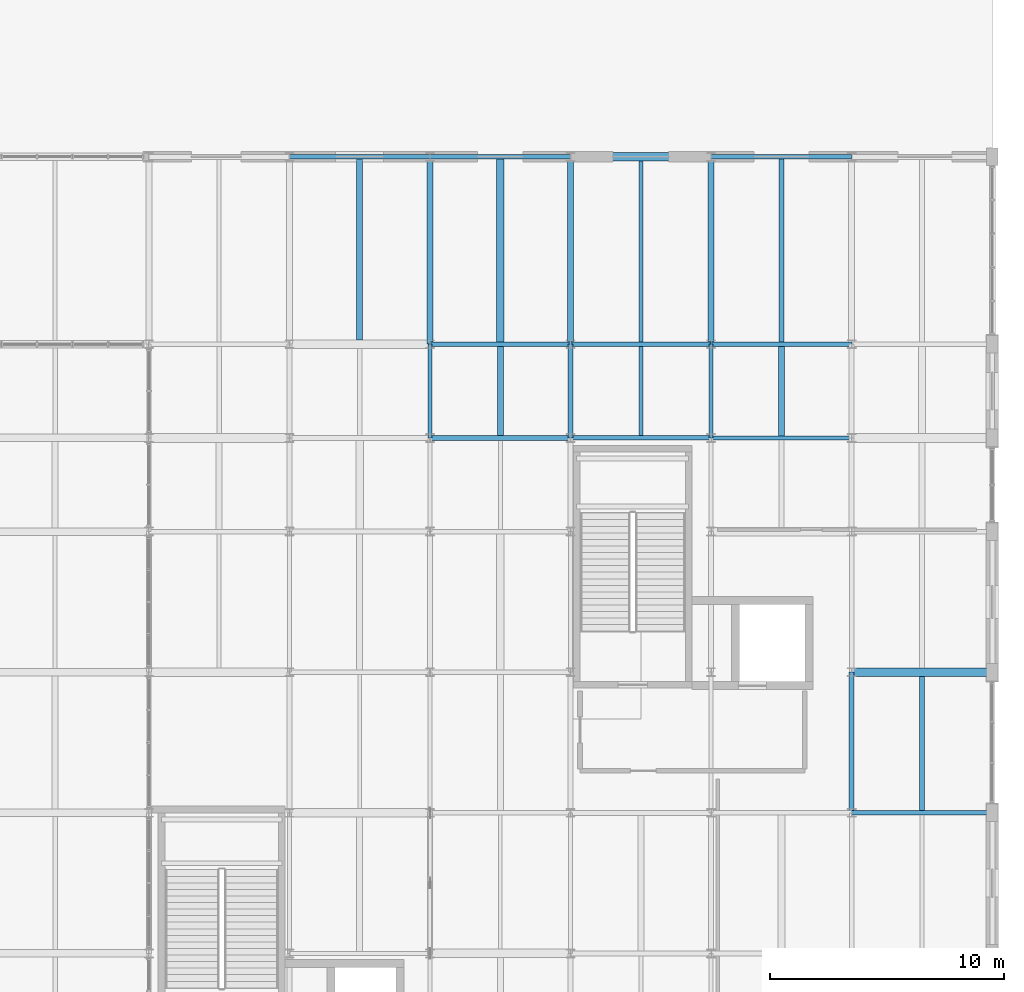
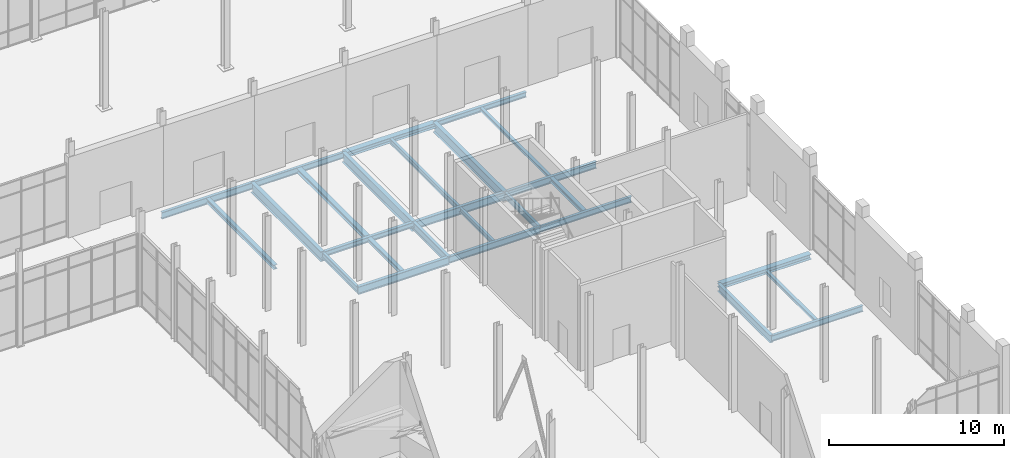
# One storey, part 90 of 140: 27 beams.
"""IFC4 building model written with IfcOpenShell, lengths in metres."""

from ifc_helpers import new_model, si_unit, direction, frame, origin, origin_2d, place, context, subcontext, project, spatial, i_section, extrude, material, material_profile, profile_set, type_object, element, save


model = new_model("IFC4")

# Units and contexts
model_context = context("Model", 3, precision=1e-05, world=origin(), true_north=direction((0.0, 1.0)))
body_context = subcontext(model_context, "Body", "Model", "MODEL_VIEW")
ifc_project = project(units=[si_unit("LENGTHUNIT", "METRE"), si_unit("AREAUNIT", "SQUARE_METRE"), si_unit("VOLUMEUNIT", "CUBIC_METRE"), si_unit("PLANEANGLEUNIT", "RADIAN"), si_unit("MASSUNIT", "GRAM", prefix="KILO")], contexts=[model_context])

# Site, building, storey
site_placement = place(None, origin())
site = spatial("IfcSite", under=ifc_project, at=site_placement, CompositionType="ELEMENT")
building_placement = place(site_placement, origin())
building = spatial("IfcBuilding", under=site, at=building_placement, Name="Verrall Gate Interchange", CompositionType="ELEMENT")
storey_placement = place(building_placement, origin())
storey = spatial("IfcBuildingStorey", under=building, at=storey_placement, Name="L01", CompositionType="ELEMENT", Elevation=0.0)

# Beams
ifc_material_1 = material(Name="Structural Steel CSA G40.21 350WT Cat 4", Category="steel")
ifc_material_profile_1 = material_profile(ifc_material_1, i_section(OverallWidth=0.256103515625, OverallDepth=0.693115234375, WebThickness=0.01318359375, FlangeThickness=0.02001953125, FilletRadius=0.01611328125, at=origin_2d()), Name="W690x170")
ifc_profile_set_1 = profile_set([ifc_material_profile_1], Name="Structural Steel CSA G40.21 350WT Cat 4")
beam_type_1 = type_object("IfcBeamType", Name="B-07 Structural Beam W690x170", PredefinedType="BEAM", material=ifc_profile_set_1)
for number, where, z_axis, x_axis, name in (
    (1, (144.0, 48.0, -0.846435546875), (0.0, 1.0, 0.0), (-1.0, 0.0, 0.0), "L01 Girder BM-L01-1218 (B-07)"),
    (2, (150.0, 48.0, -0.846435546875), (0.0, 1.0, 0.0), (-1.0, 0.0, 0.0), "L01 Girder BM-L01-1226 (B-07)"),
    (3, (156.0, 48.0, -0.846435546875), (0.0, 1.0, 0.0), (-1.0, 0.0, 0.0), "L01 Girder BM-L01-1234 (B-07)"),
):
    element("IfcBeam", number, at=place(storey_placement, frame(where, z_axis=z_axis, x_axis=x_axis)), inside=storey, type_object=beam_type_1, Name=name, PredefinedType="BEAM", context=body_context, shape_type="SweptSolid", body=[
        extrude(i_section(OverallWidth=0.256103515625, OverallDepth=0.693115234375, WebThickness=0.01318359375, FlangeThickness=0.02001953125, FilletRadius=0.01611328125, at=origin_2d()), origin(), (0.0, 0.0, 1.0), 8.0),
    ])
ifc_material_2 = material(Name="Structural Steel CSA G40.21 350W", Category="steel")
ifc_material_profile_2 = material_profile(ifc_material_2, i_section(OverallWidth=0.2109375, OverallDepth=0.5390625, WebThickness=0.01171875, FlangeThickness=0.018798828125, FilletRadius=0.013916015625, at=origin_2d()), Name="W530x109")
ifc_profile_set_2 = profile_set([ifc_material_profile_2], Name="Structural Steel CSA G40.21 350W")
beam_type_2 = type_object("IfcBeamType", Name="B-10 Structural Beam W530x109", PredefinedType="BEAM", material=ifc_profile_set_2)
for number, where, z_axis, x_axis, name in (
    (4, (144.0, 44.0, -0.76953125), (1.0, 0.0, 0.0), (0.0, 1.0, 0.0), "L01 Girder BM-L01-0906 (B-10)"),
    (5, (150.0, 48.0, -0.76953125), (1.0, 0.0, 0.0), (0.0, 1.0, 0.0), "L01 Girder BM-L01-0932 (B-10)"),
):
    element("IfcBeam", number, at=place(storey_placement, frame(where, z_axis=z_axis, x_axis=x_axis)), inside=storey, type_object=beam_type_2, Name=name, PredefinedType="BEAM", context=body_context, shape_type="SweptSolid", body=[
        extrude(i_section(OverallWidth=0.2109375, OverallDepth=0.5390625, WebThickness=0.01171875, FlangeThickness=0.018798828125, FilletRadius=0.013916015625, at=origin_2d()), origin(), (0.0, 0.0, 1.0), 6.0),
    ])
beam_1_placement = place(storey_placement, frame((150.0, 44.0, -0.76953125), z_axis=(0.0, 1.0, 0.0), x_axis=(-1.0, 0.0, 0.0)))
element("IfcBeam", 6, at=beam_1_placement, inside=storey, type_object=beam_type_2, Name="L01 Girder BM-L01-1225 (B-10)", PredefinedType="BEAM", context=body_context, shape_type="SweptSolid", body=[
    extrude(i_section(OverallWidth=0.2109375, OverallDepth=0.5390625, WebThickness=0.01171875, FlangeThickness=0.018798828125, FilletRadius=0.013916015625, at=origin_2d()), origin(), (0.0, 0.0, 1.0), 4.0),
])
beam_2_placement = place(storey_placement, frame((162.0, 28.0, -0.76953125), z_axis=(0.0, 1.0, 0.0), x_axis=(-1.0, 0.0, 0.0)))
element("IfcBeam", 7, at=beam_2_placement, inside=storey, type_object=beam_type_2, Name="L01 Girder BM-L01-1238 (B-10)", PredefinedType="BEAM", context=body_context, shape_type="SweptSolid", body=[
    extrude(i_section(OverallWidth=0.2109375, OverallDepth=0.5390625, WebThickness=0.01171875, FlangeThickness=0.018798828125, FilletRadius=0.013916015625, at=origin_2d()), origin(), (0.0, 0.0, 1.0), 6.0),
])
ifc_material_3 = material(Name="Structural Steel CSA G40.21 350W", Category="steel")
ifc_material_profile_3 = material_profile(ifc_material_3, i_section(OverallWidth=0.19189453125, OverallDepth=0.462890625, WebThickness=0.010498046875, FlangeThickness=0.017578125, FilletRadius=0.012939453125, at=origin_2d()), Name="W460x89")
ifc_profile_set_3 = profile_set([ifc_material_profile_3], Name="Structural Steel CSA G40.21 350W")
beam_type_3 = type_object("IfcBeamType", Name="B-11 Structural Beam W460x89", PredefinedType="BEAM", material=ifc_profile_set_3)
for number, where, z_axis, x_axis, name in (
    (8, (150.0, 44.0, -0.7314453125), (1.0, 0.0, 0.0), (0.0, 1.0, 0.0), "L01 Girder BM-L01-0907 (B-11)"),
    (9, (156.0, 48.0, -0.7314453125), (1.0, 0.0, 0.0), (0.0, 1.0, 0.0), "L01 Girder BM-L01-0933 (B-11)"),
    (10, (138.0, 56.0, -0.7314453125), (1.0, 0.0, 0.0), (0.0, 1.0, 0.0), "L01 Girder BM-L01-0952 (B-11)"),
):
    element("IfcBeam", number, at=place(storey_placement, frame(where, z_axis=z_axis, x_axis=x_axis)), inside=storey, type_object=beam_type_3, Name=name, PredefinedType="BEAM", context=body_context, shape_type="SweptSolid", body=[
        extrude(i_section(OverallWidth=0.19189453125, OverallDepth=0.462890625, WebThickness=0.010498046875, FlangeThickness=0.017578125, FilletRadius=0.012939453125, at=origin_2d()), origin(), (0.0, 0.0, 1.0), 6.0),
    ])
ifc_material_4 = material(Name="Structural Steel CSA G40.21 350W", Category="steel")
ifc_material_profile_4 = material_profile(ifc_material_4, i_section(OverallWidth=0.178955078125, OverallDepth=0.409912109375, WebThickness=0.0087890625, FlangeThickness=0.014404296875, FilletRadius=0.011962890625, at=origin_2d()), Name="W410x67")
ifc_profile_set_4 = profile_set([ifc_material_profile_4], Name="Structural Steel CSA G40.21 350W")
beam_type_4 = type_object("IfcBeamType", Name="B-12 Structural Beam W410x67", PredefinedType="BEAM", material=ifc_profile_set_4)
for number, where, z_axis, x_axis, name in (
    (11, (162.0, 28.0, -0.705078125), (1.0, 0.0, 0.0), (0.0, 1.0, 0.0), "L01 Girder BM-L01-0846 (B-12)"),
    (12, (156.0, 44.0, -0.705078125), (1.0, 0.0, 0.0), (0.0, 1.0, 0.0), "L01 Girder BM-L01-0908 (B-12)"),
    (13, (144.0, 56.0, -0.705078125), (1.0, 0.0, 0.0), (0.0, 1.0, 0.0), "L01 Girder BM-L01-0953 (B-12)"),
):
    element("IfcBeam", number, at=place(storey_placement, frame(where, z_axis=z_axis, x_axis=x_axis)), inside=storey, type_object=beam_type_4, Name=name, PredefinedType="BEAM", context=body_context, shape_type="SweptSolid", body=[
        extrude(i_section(OverallWidth=0.178955078125, OverallDepth=0.409912109375, WebThickness=0.0087890625, FlangeThickness=0.014404296875, FilletRadius=0.011962890625, at=origin_2d()), origin(), (0.0, 0.0, 1.0), 6.0),
    ])
for number, where, z_axis, x_axis, name in (
    (14, (144.0, 44.0, -0.705078125), (0.0, 1.0, 0.0), (-1.0, 0.0, 0.0), "L01 Girder BM-L01-1217 (B-12)"),
    (15, (156.0, 44.0, -0.705078125), (0.0, 1.0, 0.0), (-1.0, 0.0, 0.0), "L01 Girder BM-L01-1233 (B-12)"),
):
    element("IfcBeam", number, at=place(storey_placement, frame(where, z_axis=z_axis, x_axis=x_axis)), inside=storey, type_object=beam_type_4, Name=name, PredefinedType="BEAM", context=body_context, shape_type="SweptSolid", body=[
        extrude(i_section(OverallWidth=0.178955078125, OverallDepth=0.409912109375, WebThickness=0.0087890625, FlangeThickness=0.014404296875, FilletRadius=0.011962890625, at=origin_2d()), origin(), (0.0, 0.0, 1.0), 4.0),
    ])
ifc_material_5 = material(Name="Structural Steel CSA G40.21 350W", Category="steel")
ifc_material_profile_5 = material_profile(ifc_material_5, i_section(OverallWidth=0.368896484375, OverallDepth=0.35595703125, WebThickness=0.01123046875, FlangeThickness=0.01806640625, FilletRadius=0.014892578125, at=origin_2d()), Name="W360x134")
ifc_profile_set_5 = profile_set([ifc_material_profile_5], Name="Structural Steel CSA G40.21 350W")
beam_type_5 = type_object("IfcBeamType", Name="B-13 Structural Beam W360x134", PredefinedType="BEAM", material=ifc_profile_set_5)
for number, where, z_axis, x_axis, name in (
    (16, (162.0, 34.0, -0.677978515625), (1.0, 0.0, 0.0), (0.0, 1.0, 0.0), "L01 Girder BM-L01-0866 (B-13)"),
    (17, (150.0, 56.0, -0.677978515625), (1.0, 0.0, 0.0), (0.0, 1.0, 0.0), "L01 Girder BM-L01-0954 (B-13)"),
):
    element("IfcBeam", number, at=place(storey_placement, frame(where, z_axis=z_axis, x_axis=x_axis)), inside=storey, type_object=beam_type_5, Name=name, PredefinedType="BEAM", context=body_context, shape_type="SweptSolid", body=[
        extrude(i_section(OverallWidth=0.368896484375, OverallDepth=0.35595703125, WebThickness=0.01123046875, FlangeThickness=0.01806640625, FilletRadius=0.014892578125, at=origin_2d()), origin(), (0.0, 0.0, 1.0), 6.0),
    ])
ifc_material_6 = material(Name="Structural Steel CSA G40.21 350W", Category="steel")
ifc_material_profile_6 = material_profile(ifc_material_6, i_section(OverallWidth=0.205078125, OverallDepth=0.35400390625, WebThickness=0.009521484375, FlangeThickness=0.016845703125, FilletRadius=0.012939453125, at=origin_2d()), Name="W360x79")
ifc_profile_set_6 = profile_set([ifc_material_profile_6], Name="Structural Steel CSA G40.21 350W")
beam_type_6 = type_object("IfcBeamType", Name="B-14 Structural Beam W360x79", PredefinedType="BEAM", material=ifc_profile_set_6)
for number, where, z_axis, x_axis, name in (
    (18, (144.0, 48.0, -0.677001953125), (1.0, 0.0, 0.0), (0.0, 1.0, 0.0), "L01 Girder BM-L01-0931 (B-14)"),
    (19, (156.0, 56.0, -0.677001953125), (1.0, 0.0, 0.0), (0.0, 1.0, 0.0), "L01 Girder BM-L01-0955 (B-14)"),
):
    element("IfcBeam", number, at=place(storey_placement, frame(where, z_axis=z_axis, x_axis=x_axis)), inside=storey, type_object=beam_type_6, Name=name, PredefinedType="BEAM", context=body_context, shape_type="SweptSolid", body=[
        extrude(i_section(OverallWidth=0.205078125, OverallDepth=0.35400390625, WebThickness=0.009521484375, FlangeThickness=0.016845703125, FilletRadius=0.012939453125, at=origin_2d()), origin(), (0.0, 0.0, 1.0), 6.0),
    ])
ifc_material_7 = material(Name="Structural Steel CSA G40.21 350W", Category="steel")
ifc_material_profile_7 = material_profile(ifc_material_7, i_section(OverallWidth=0.172119140625, OverallDepth=0.35791015625, WebThickness=0.0078125, FlangeThickness=0.01318359375, FilletRadius=0.010986328125, at=origin_2d()), Name="W360x57")
ifc_profile_set_7 = profile_set([ifc_material_profile_7], Name="Structural Steel CSA G40.21 350W")
beam_type_7 = type_object("IfcBeamType", Name="J-01 Floor Joist W360x57", PredefinedType="JOIST", material=ifc_profile_set_7)
beam_3_placement = place(storey_placement, frame((153.0, 48.10546875, -0.678955078125), z_axis=(0.0, 1.0, 0.0), x_axis=(-1.0, 0.0, 0.0)))
element("IfcBeam", 20, at=beam_3_placement, inside=storey, type_object=beam_type_7, Name="L01 Secondary Floor Joist JST-L01-1418", PredefinedType="JOIST", context=body_context, shape_type="SweptSolid", body=[
    extrude(i_section(OverallWidth=0.172119140625, OverallDepth=0.35791015625, WebThickness=0.0078125, FlangeThickness=0.01318359375, FilletRadius=0.010986328125, at=origin_2d()), origin(), (0.0, 0.0, 1.0), 7.7099609375),
])
ifc_material_8 = material(Name="Structural Steel CSA G40.21 350W", Category="steel")
ifc_material_profile_8 = material_profile(ifc_material_8, i_section(OverallWidth=0.306884765625, OverallDepth=0.31396484375, WebThickness=0.011962890625, FlangeThickness=0.018798828125, FilletRadius=0.013916015625, at=origin_2d()), Name="W310x118")
ifc_profile_set_8 = profile_set([ifc_material_profile_8], Name="Structural Steel CSA G40.21 350W")
beam_type_8 = type_object("IfcBeamType", Name="J-02 Floor Joist W310x118", PredefinedType="JOIST", material=ifc_profile_set_8)
beam_4_placement = place(storey_placement, frame((147.0, 48.1025390625, -0.656982421875), z_axis=(0.0, 1.0, 0.0), x_axis=(-1.0, 0.0, 0.0)))
element("IfcBeam", 21, at=beam_4_placement, inside=storey, type_object=beam_type_8, Name="L01 Secondary Floor Joist JST-L01-1417", PredefinedType="JOIST", context=body_context, shape_type="SweptSolid", body=[
    extrude(i_section(OverallWidth=0.306884765625, OverallDepth=0.31396484375, WebThickness=0.011962890625, FlangeThickness=0.018798828125, FilletRadius=0.013916015625, at=origin_2d()), origin(), (0.0, 0.0, 1.0), 7.807861328125),
])
ifc_material_9 = material(Name="Structural Steel CSA G40.21 350W", Category="steel")
ifc_material_profile_9 = material_profile(ifc_material_9, i_section(OverallWidth=0.25390625, OverallDepth=0.305908203125, WebThickness=0.0087890625, FlangeThickness=0.0146484375, FilletRadius=0.012939453125, at=origin_2d()), Name="W310x79")
ifc_profile_set_9 = profile_set([ifc_material_profile_9], Name="Structural Steel CSA G40.21 350W")
beam_type_9 = type_object("IfcBeamType", Name="J-03 Floor Joist W310x79", PredefinedType="JOIST", material=ifc_profile_set_9)
beam_5_placement = place(storey_placement, frame((159.0, 44.089599609375, -0.653076171875), z_axis=(0.0, 1.0, 0.0), x_axis=(-1.0, 0.0, 0.0)))
element("IfcBeam", 22, at=beam_5_placement, inside=storey, type_object=beam_type_9, Name="L01 Secondary Floor Joist JST-L01-1398", PredefinedType="JOIST", context=body_context, shape_type="SweptSolid", body=[
    extrude(i_section(OverallWidth=0.25390625, OverallDepth=0.305908203125, WebThickness=0.0087890625, FlangeThickness=0.0146484375, FilletRadius=0.012939453125, at=origin_2d()), origin(), (0.0, 0.0, 1.0), 3.814453125),
])
beam_6_placement = place(storey_placement, frame((141.0, 48.1845703125, -0.653076171875), z_axis=(0.0, 1.0, 0.0), x_axis=(-1.0, 0.0, 0.0)))
element("IfcBeam", 23, at=beam_6_placement, inside=storey, type_object=beam_type_9, Name="L01 Secondary Floor Joist JST-L01-1416", PredefinedType="JOIST", context=body_context, shape_type="SweptSolid", body=[
    extrude(i_section(OverallWidth=0.25390625, OverallDepth=0.305908203125, WebThickness=0.0087890625, FlangeThickness=0.0146484375, FilletRadius=0.012939453125, at=origin_2d()), origin(), (0.0, 0.0, 1.0), 7.719482421875),
])
ifc_material_10 = material(Name="Structural Steel CSA G40.21 350W", Category="steel")
ifc_material_profile_10 = material_profile(ifc_material_10, i_section(OverallWidth=0.1650390625, OverallDepth=0.31005859375, WebThickness=0.005859375, FlangeThickness=0.009765625, FilletRadius=0.010009765625, at=origin_2d()), Name="W310x39")
ifc_profile_set_10 = profile_set([ifc_material_profile_10], Name="Structural Steel CSA G40.21 350W")
beam_type_10 = type_object("IfcBeamType", Name="J-04 Floor Joist W310x39", PredefinedType="JOIST", material=ifc_profile_set_10)
beam_7_placement = place(storey_placement, frame((153.0, 44.095947265625, -0.655029296875), z_axis=(0.0, 1.0, 0.0), x_axis=(-1.0, 0.0, 0.0)))
element("IfcBeam", 24, at=beam_7_placement, inside=storey, type_object=beam_type_10, Name="L01 Secondary Floor Joist JST-L01-1397", PredefinedType="JOIST", context=body_context, shape_type="SweptSolid", body=[
    extrude(i_section(OverallWidth=0.1650390625, OverallDepth=0.31005859375, WebThickness=0.005859375, FlangeThickness=0.009765625, FilletRadius=0.010009765625, at=origin_2d()), origin(), (0.0, 0.0, 1.0), 3.798583984375),
])
ifc_material_11 = material(Name="Structural Steel CSA G40.21 350W", Category="steel")
ifc_material_profile_11 = material_profile(ifc_material_11, i_section(OverallWidth=0.25390625, OverallDepth=0.2529296875, WebThickness=0.008544921875, FlangeThickness=0.01416015625, FilletRadius=0.011962890625, at=origin_2d()), Name="W250x73")
ifc_profile_set_11 = profile_set([ifc_material_profile_11], Name="Structural Steel CSA G40.21 350W")
beam_type_11 = type_object("IfcBeamType", Name="J-05 Floor Joist W250x73", PredefinedType="JOIST", material=ifc_profile_set_11)
beam_8_placement = place(storey_placement, frame((147.0, 44.10546875, -0.62646484375), z_axis=(0.0, 1.0, 0.0), x_axis=(-1.0, 0.0, 0.0)))
element("IfcBeam", 25, at=beam_8_placement, inside=storey, type_object=beam_type_11, Name="L01 Secondary Floor Joist JST-L01-1396", PredefinedType="JOIST", context=body_context, shape_type="SweptSolid", body=[
    extrude(i_section(OverallWidth=0.25390625, OverallDepth=0.2529296875, WebThickness=0.008544921875, FlangeThickness=0.01416015625, FilletRadius=0.011962890625, at=origin_2d()), origin(), (0.0, 0.0, 1.0), 3.7919921875),
])
ifc_material_12 = material(Name="Structural Steel CSA G40.21 350W", Category="steel")
ifc_material_profile_12 = material_profile(ifc_material_12, i_section(OverallWidth=0.202880859375, OverallDepth=0.202880859375, WebThickness=0.007080078125, FlangeThickness=0.010986328125, FilletRadius=0.010009765625, at=origin_2d()), Name="W200x46")
ifc_profile_set_12 = profile_set([ifc_material_profile_12], Name="Structural Steel CSA G40.21 350W")
beam_type_12 = type_object("IfcBeamType", Name="J-07 Floor Joist W200x46", PredefinedType="JOIST", material=ifc_profile_set_12)
beam_9_placement = place(storey_placement, frame((165.0, 28.089599609375, -0.6015625), z_axis=(0.0, 1.0, 0.0), x_axis=(-1.0, 0.0, 0.0)))
element("IfcBeam", 26, at=beam_9_placement, inside=storey, type_object=beam_type_12, Name="L01 Secondary Floor Joist JST-L01-1343", PredefinedType="JOIST", context=body_context, shape_type="SweptSolid", body=[
    extrude(i_section(OverallWidth=0.202880859375, OverallDepth=0.202880859375, WebThickness=0.007080078125, FlangeThickness=0.010986328125, FilletRadius=0.010009765625, at=origin_2d()), origin(), (0.0, 0.0, 1.0), 5.725830078125),
])
beam_10_placement = place(storey_placement, frame((159.0, 48.095947265625, -0.6015625), z_axis=(0.0, 1.0, 0.0), x_axis=(-1.0, 0.0, 0.0)))
element("IfcBeam", 27, at=beam_10_placement, inside=storey, type_object=beam_type_12, Name="L01 Secondary Floor Joist JST-L01-1419", PredefinedType="JOIST", context=body_context, shape_type="SweptSolid", body=[
    extrude(i_section(OverallWidth=0.202880859375, OverallDepth=0.202880859375, WebThickness=0.007080078125, FlangeThickness=0.010986328125, FilletRadius=0.010009765625, at=origin_2d()), origin(), (0.0, 0.0, 1.0), 7.801513671875),
])

save(model, "model.ifc")
